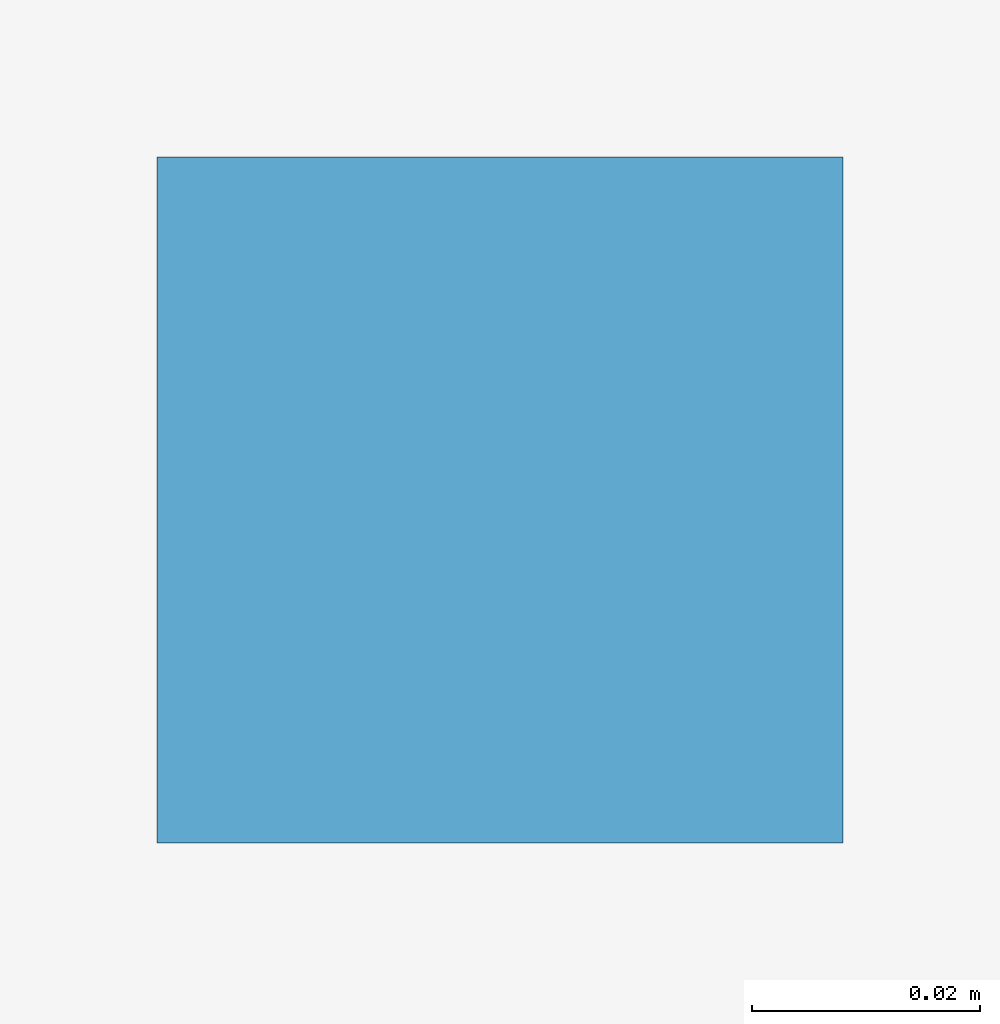
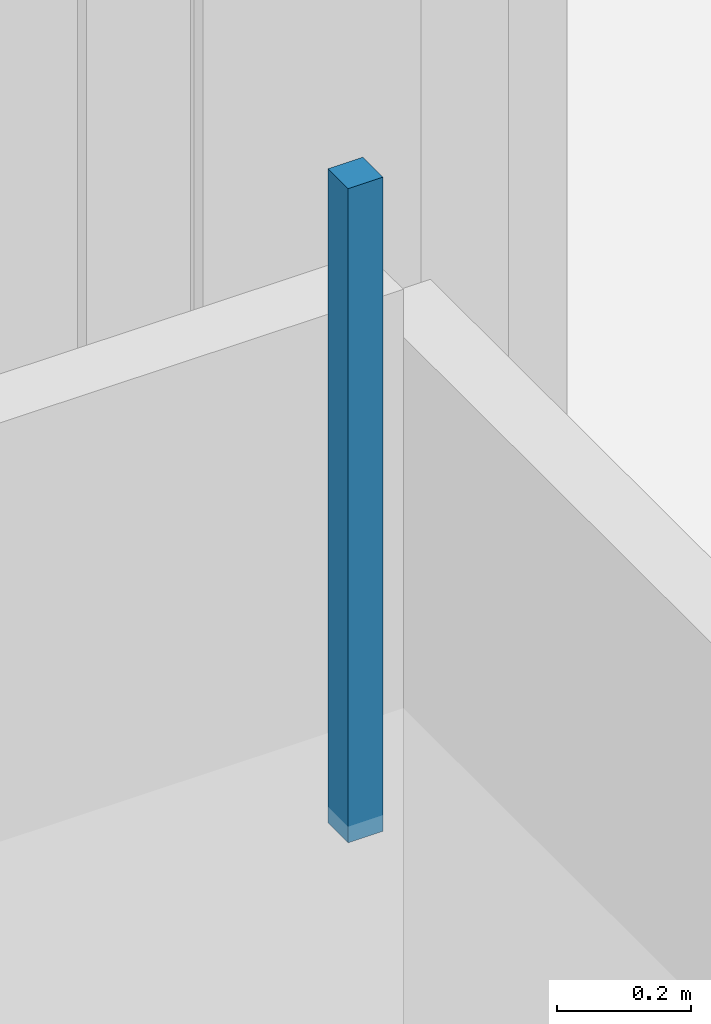
# One storey, part 69 of 107: 1 discrete accessory.
"""IFC4 building model written with IfcOpenShell, lengths in metres."""

from ifc_helpers import new_model, si_unit, direction, frame, origin, place, context, subcontext, project, spatial, polyline, outline, extrude, material, type_object, element, save


model = new_model("IFC4")

# Units and contexts
model_context = context("Model", 3, precision=1e-05, world=origin(), true_north=direction((0.0, 1.0)))
body_context = subcontext(model_context, "Body", "Model", "MODEL_VIEW")
ifc_project = project(units=[si_unit("LENGTHUNIT", "METRE"), si_unit("AREAUNIT", "SQUARE_METRE"), si_unit("VOLUMEUNIT", "CUBIC_METRE"), si_unit("PLANEANGLEUNIT", "RADIAN"), si_unit("MASSUNIT", "GRAM", prefix="KILO")], contexts=[model_context])

# Site, building, storey
site_placement = place(None, origin())
site = spatial("IfcSite", under=ifc_project, at=site_placement, CompositionType="ELEMENT")
building_placement = place(site_placement, origin())
building = spatial("IfcBuilding", under=site, at=building_placement, Name="Dunescarp Central Library", CompositionType="ELEMENT")
storey_placement = place(building_placement, frame((0.0, 0.0, 5.10009765625)))
storey = spatial("IfcBuildingStorey", under=building, at=storey_placement, Name="L01", CompositionType="ELEMENT", Elevation=5.10009765625)

# Discrete accessory
ifc_material = material(Name="Stainless steel Grade 316L", Category="steel")
discrete_accessory_type = type_object("IfcDiscreteAccessoryType", Name="ARC-ACC-BRK", PredefinedType="BRACKET", material=ifc_material)
discrete_accessory_placement = place(storey_placement, frame((0.0, 0.0, 3.059814453125)))
element("IfcDiscreteAccessory", 1, at=discrete_accessory_placement, inside=storey, type_object=discrete_accessory_type, Name="L01 ceiling hanger CLG-L01-010-H2", PredefinedType="BRACKET", context=body_context, shape_type="SweptSolid", body=[
    extrude(outline(polyline([(23.719970703125, 12.02001953125), (23.780029296875, 12.02001953125), (23.780029296875, 12.080078125), (23.719970703125, 12.080078125), (23.719970703125, 12.02001953125)])), origin(), (0.0, 0.0, 1.0), 1.190185546875),
])

save(model, "model.ifc")
